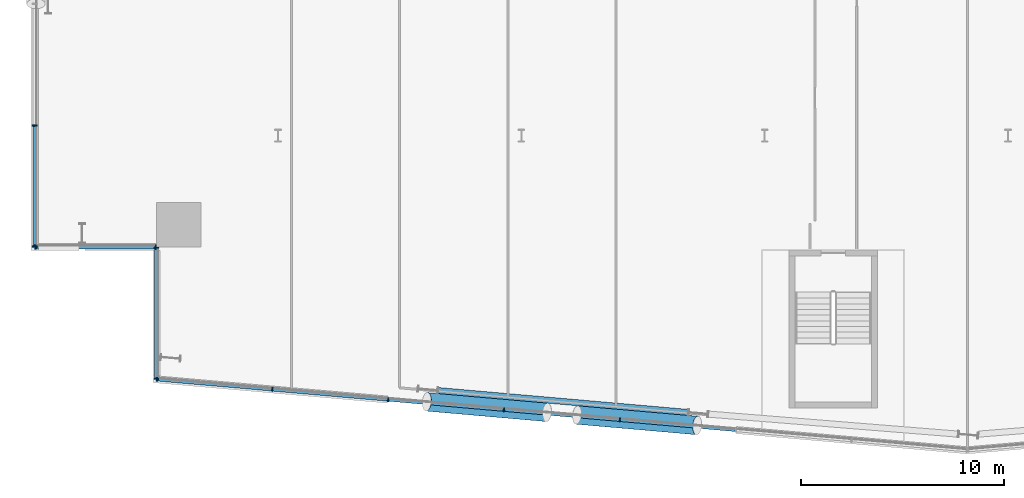
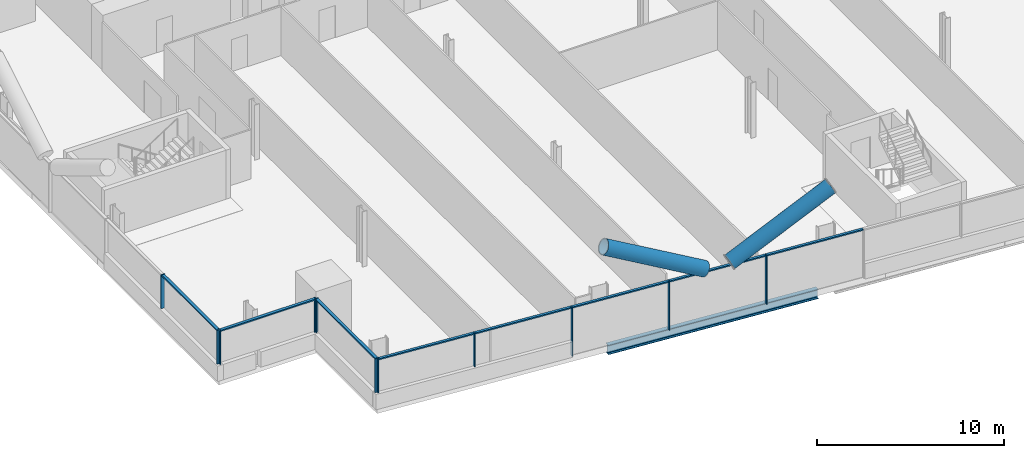
# One storey, part 4 of 25: 21 members, 1 beam, 4 elements without a shape of their own.
"""IFC4 building model written with IfcOpenShell, lengths in metres."""

from ifc_helpers import new_model, si_unit, direction, frame, origin, origin_2d, place, context, subcontext, project, spatial, rectangle, hollow_circle, i_section, extrude, material, material_profile, profile_set, type_object, element, aggregate, save


model = new_model("IFC4")

# Units and contexts
model_context = context("Model", 3, precision=1e-05, world=origin(), true_north=direction((0.0, 1.0)))
body_context = subcontext(model_context, "Body", "Model", "MODEL_VIEW")
ifc_project = project(units=[si_unit("LENGTHUNIT", "METRE"), si_unit("AREAUNIT", "SQUARE_METRE"), si_unit("VOLUMEUNIT", "CUBIC_METRE"), si_unit("PLANEANGLEUNIT", "RADIAN"), si_unit("MASSUNIT", "GRAM", prefix="KILO")], contexts=[model_context])

# Site, building, storey
site_placement = place(None, origin())
site = spatial("IfcSite", under=ifc_project, at=site_placement, CompositionType="ELEMENT")
building_placement = place(site_placement, origin())
building = spatial("IfcBuilding", under=site, at=building_placement, Name="Wharfspan Tower", CompositionType="ELEMENT")
storey_placement = place(building_placement, frame((0.0, 0.0, 70.300049)))
storey = spatial("IfcBuildingStorey", under=building, at=storey_placement, Name="L14", CompositionType="ELEMENT", Elevation=70.300049)

# Beam
ifc_material_1 = material(Name="Steel S355J2", Category="steel")
ifc_material_profile_1 = material_profile(ifc_material_1, i_section(OverallWidth=0.300049, OverallDepth=0.600098, WebThickness=0.015381, FlangeThickness=0.030029, FilletRadius=0.0271, at=origin_2d()))
ifc_profile_set_1 = profile_set([ifc_material_profile_1], Name="Steel S355J2")
beam_type = type_object("IfcBeamType", Name="Edge beam HEB 600", PredefinedType="SPANDREL", material=ifc_profile_set_1)
beam_placement = place(storey_placement, frame((19.888916, -1.077637, -0.699951), z_axis=(0.996195, -0.087154, 0.0), x_axis=(0.087154, 0.996195, 0.0)))
element("IfcBeam", 1, at=beam_placement, inside=storey, type_object=beam_type, Name="Edge beam S1 L14 PS1.2 to PS1.3", PredefinedType="SPANDREL", context=body_context, shape_type="SweptSolid", body=[
    extrude(i_section(OverallWidth=0.300049, OverallDepth=0.600098, WebThickness=0.015381, FlangeThickness=0.030029, FilletRadius=0.0271, at=origin_2d()), origin(), (0.0, 0.0, 1.0), 12.384277),
])

# Curtain wall, members
ifc_material_2 = material(Name="Aluminium 6063-T6", Category="aluminium")
curtain_wall_type_1 = type_object("IfcCurtainWallType", Name="CURTAIN WALL FACETED FRONT", PredefinedType="NOTDEFINED", material=ifc_material_2)
curtain_wall_1_placement = place(storey_placement, origin())
curtain_wall_1 = element("IfcCurtainWall", 2, at=curtain_wall_1_placement, inside=storey, type_object=curtain_wall_type_1, Name="Curtain wall S1", PredefinedType="NOTDEFINED")
ifc_material_profile_2 = material_profile(ifc_material_2, rectangle(XDim=0.199951, YDim=0.060059, at=origin_2d()))
ifc_profile_set_2 = profile_set([ifc_material_profile_2], Name="Aluminium 6063-T6")
member_type_1 = type_object("IfcMemberType", Name="MULLION FACETED FRONT 60x200", PredefinedType="MULLION", material=ifc_profile_set_2)
member_1_placement = place(storey_placement, frame((6.029785, -0.527588, 1.0), z_axis=(0.0, 0.0, 1.0), x_axis=(0.087156, 0.996197, 0.0)))
member_1 = element("IfcMember", 3, at=member_1_placement, type_object=member_type_1, Name="Curtain wall S1 mullion 1", PredefinedType="MULLION", context=body_context, shape_type="SweptSolid", body=[
    extrude(rectangle(XDim=0.199951, YDim=0.060059, at=origin_2d()), origin(), (0.0, 0.0, 1.0), 2.199951),
])
member_2_placement = place(storey_placement, frame((11.714355, -1.024902, 1.0), z_axis=(0.0, 0.0, 1.0), x_axis=(0.087156, 0.996197, 0.0)))
member_2 = element("IfcMember", 4, at=member_2_placement, type_object=member_type_1, Name="Curtain wall S1 mullion 2", PredefinedType="MULLION", context=body_context, shape_type="SweptSolid", body=[
    extrude(rectangle(XDim=0.199951, YDim=0.060059, at=origin_2d()), origin(), (0.0, 0.0, 1.0), 2.199951),
])
member_3_placement = place(storey_placement, frame((17.428467, -1.524902, 0.0), z_axis=(0.0, 0.0, 1.0), x_axis=(0.087156, 0.996197, 0.0)))
member_3 = element("IfcMember", 5, at=member_3_placement, type_object=member_type_1, Name="Curtain wall S1 mullion 3", PredefinedType="MULLION", context=body_context, shape_type="SweptSolid", body=[
    extrude(rectangle(XDim=0.199951, YDim=0.060059, at=origin_2d()), origin(), (0.0, 0.0, 1.0), 3.199951),
])
member_4_placement = place(storey_placement, frame((23.142822, -2.024658, 0.0), z_axis=(0.0, 0.0, 1.0), x_axis=(0.087156, 0.996197, 0.0)))
member_4 = element("IfcMember", 6, at=member_4_placement, type_object=member_type_1, Name="Curtain wall S1 mullion 4", PredefinedType="MULLION", context=body_context, shape_type="SweptSolid", body=[
    extrude(rectangle(XDim=0.199951, YDim=0.060059, at=origin_2d()), origin(), (0.0, 0.0, 1.0), 3.199951),
])
member_5_placement = place(storey_placement, frame((28.857178, -2.524658, 0.0), z_axis=(0.0, 0.0, 1.0), x_axis=(0.087156, 0.996197, 0.0)))
member_5 = element("IfcMember", 7, at=member_5_placement, type_object=member_type_1, Name="Curtain wall S1 mullion 5", PredefinedType="MULLION", context=body_context, shape_type="SweptSolid", body=[
    extrude(rectangle(XDim=0.199951, YDim=0.060059, at=origin_2d()), origin(), (0.0, 0.0, 1.0), 3.199951),
])

curtain_wall_type_2 = type_object("IfcCurtainWallType", Name="CURTAIN WALL PROW AND END", PredefinedType="NOTDEFINED", material=ifc_material_2)
curtain_wall_2_placement = place(storey_placement, origin())
curtain_wall_2 = element("IfcCurtainWall", 8, at=curtain_wall_2_placement, inside=storey, type_object=curtain_wall_type_2, Name="Curtain wall W", PredefinedType="NOTDEFINED")
ifc_material_profile_3 = material_profile(ifc_material_2, rectangle(XDim=0.23999, YDim=0.060059, at=origin_2d()))
ifc_profile_set_3 = profile_set([ifc_material_profile_3], Name="Aluminium 6063-T6")
member_type_2 = type_object("IfcMemberType", Name="MULLION PROW AND END 60x240", PredefinedType="MULLION", material=ifc_profile_set_3)
member_6_placement = place(storey_placement, frame((0.0, 12.0, 1.0), z_axis=(0.0, 0.0, 1.0), x_axis=(1.0, 0.0, 0.0)))
member_6 = element("IfcMember", 9, at=member_6_placement, type_object=member_type_2, Name="Curtain wall W mullion 6", PredefinedType="MULLION", context=body_context, shape_type="SweptSolid", body=[
    extrude(rectangle(XDim=0.23999, YDim=0.060059, at=origin_2d()), origin(), (0.0, 0.0, 1.0), 2.199951),
])
member_7_placement = place(storey_placement, frame((0.0, 6.030029, 1.0), z_axis=(0.0, 0.0, 1.0), x_axis=(1.0, 0.0, 0.0)))
member_7 = element("IfcMember", 10, at=member_7_placement, type_object=member_type_2, Name="Curtain wall W mullion 7", PredefinedType="MULLION", context=body_context, shape_type="SweptSolid", body=[
    extrude(rectangle(XDim=0.23999, YDim=0.060059, at=origin_2d()), origin(), (0.0, 0.0, 1.0), 2.199951),
])

curtain_wall_3_placement = place(storey_placement, origin())
curtain_wall_3 = element("IfcCurtainWall", 11, at=curtain_wall_3_placement, inside=storey, type_object=curtain_wall_type_2, Name="Curtain wall NFW-H", PredefinedType="NOTDEFINED")
member_8_placement = place(storey_placement, frame((0.030029, 6.0, 1.0), z_axis=(0.0, 0.0, 1.0), x_axis=(0.0, 1.0, 0.0)))
member_8 = element("IfcMember", 12, at=member_8_placement, type_object=member_type_2, Name="Curtain wall NFW-H mullion 1", PredefinedType="MULLION", context=body_context, shape_type="SweptSolid", body=[
    extrude(rectangle(XDim=0.23999, YDim=0.060059, at=origin_2d()), origin(), (0.0, 0.0, 1.0), 2.199951),
])
member_9_placement = place(storey_placement, frame((5.969971, 6.0, 1.0), z_axis=(0.0, 0.0, 1.0), x_axis=(0.0, 1.0, 0.0)))
member_9 = element("IfcMember", 13, at=member_9_placement, type_object=member_type_2, Name="Curtain wall NFW-H mullion 2", PredefinedType="MULLION", context=body_context, shape_type="SweptSolid", body=[
    extrude(rectangle(XDim=0.23999, YDim=0.060059, at=origin_2d()), origin(), (0.0, 0.0, 1.0), 2.199951),
])

curtain_wall_4_placement = place(storey_placement, origin())
curtain_wall_4 = element("IfcCurtainWall", 14, at=curtain_wall_4_placement, inside=storey, type_object=curtain_wall_type_2, Name="Curtain wall NFW-V", PredefinedType="NOTDEFINED")
member_10_placement = place(storey_placement, frame((6.0, 5.969971, 1.0), z_axis=(0.0, 0.0, 1.0), x_axis=(1.0, 0.0, 0.0)))
member_10 = element("IfcMember", 15, at=member_10_placement, type_object=member_type_2, Name="Curtain wall NFW-V mullion 1", PredefinedType="MULLION", context=body_context, shape_type="SweptSolid", body=[
    extrude(rectangle(XDim=0.23999, YDim=0.060059, at=origin_2d()), origin(), (0.0, 0.0, 1.0), 2.199951),
])
member_11_placement = place(storey_placement, frame((6.0, -0.494873, 1.0), z_axis=(0.0, 0.0, 1.0), x_axis=(1.0, 0.0, 0.0)))
member_11 = element("IfcMember", 16, at=member_11_placement, type_object=member_type_2, Name="Curtain wall NFW-V mullion 2", PredefinedType="MULLION", context=body_context, shape_type="SweptSolid", body=[
    extrude(rectangle(XDim=0.23999, YDim=0.060059, at=origin_2d()), origin(), (0.0, 0.0, 1.0), 2.199951),
])

# Members
ifc_material_3 = material(Name="Steel S460NH", Category="steel")
ifc_material_profile_4 = material_profile(ifc_material_3, hollow_circle(Radius=0.457031, WallThickness=0.040039, at=origin_2d()))
ifc_profile_set_4 = profile_set([ifc_material_profile_4], Name="Steel S460NH")
member_type_3 = type_object("IfcMemberType", Name="Mega brace CHS 914x40", PredefinedType="BRACE", material=ifc_profile_set_4)
for number, where, z_axis, x_axis, name in (
    (17, (26.746338, -2.284912, 3.300293), (0.877299, -0.076744, 0.473768), (0.087145, 0.996198, 0.0), "Mega brace S1 L14 part 2"),
    (18, (25.263184, -2.155029, 3.300293), (-0.877299, 0.076744, 0.473768), (-0.087145, -0.996198, 0.0), "Mega brace S1 L14 part 4"),
):
    element("IfcMember", number, at=place(storey_placement, frame(where, z_axis=z_axis, x_axis=x_axis)), inside=storey, type_object=member_type_3, Name=name, PredefinedType="BRACE", context=body_context, shape_type="SweptSolid", body=[
        extrude(hollow_circle(Radius=0.457031, WallThickness=0.040039, at=origin_2d()), origin(), (0.0, 0.0, 1.0), 6.753662),
    ])

# Member
ifc_material_profile_5 = material_profile(ifc_material_2, rectangle(XDim=0.159912, YDim=0.080078, at=origin_2d()))
ifc_profile_set_5 = profile_set([ifc_material_profile_5], Name="Aluminium 6063-T6")
member_type_4 = type_object("IfcMemberType", Name="TRANSOM FACETED FRONT 80x160", PredefinedType="USERDEFINED", material=ifc_profile_set_5)
member_12_placement = place(storey_placement, frame((6.059814, -0.530273, 3.159912), z_axis=(0.996197, -0.087132, 0.0), x_axis=(0.087132, 0.996197, 0.0)))
member_12 = element("IfcMember", 19, at=member_12_placement, type_object=member_type_4, Name="Curtain wall S1 transom 1", ObjectType="TRANSOM", PredefinedType="USERDEFINED", context=body_context, shape_type="SweptSolid", body=[
    extrude(rectangle(XDim=0.159912, YDim=0.080078, at=origin_2d()), origin(), (0.0, 0.0, 1.0), 5.645996),
])

member_13_placement = place(storey_placement, frame((11.744141, -1.027588, 3.159912), z_axis=(0.996196, -0.087142, 0.0), x_axis=(0.087142, 0.996196, 0.0)))
member_13 = element("IfcMember", 20, at=member_13_placement, type_object=member_type_4, Name="Curtain wall S1 transom 2", ObjectType="TRANSOM", PredefinedType="USERDEFINED", context=body_context, shape_type="SweptSolid", body=[
    extrude(rectangle(XDim=0.159912, YDim=0.080078, at=origin_2d()), origin(), (0.0, 0.0, 1.0), 5.676025),
])

member_14_placement = place(storey_placement, frame((17.458496, -1.527344, 3.159912), z_axis=(0.996192, -0.087185, 0.0), x_axis=(0.087185, 0.996192, 0.0)))
member_14 = element("IfcMember", 21, at=member_14_placement, type_object=member_type_4, Name="Curtain wall S1 transom 3", ObjectType="TRANSOM", PredefinedType="USERDEFINED", context=body_context, shape_type="SweptSolid", body=[
    extrude(rectangle(XDim=0.159912, YDim=0.080078, at=origin_2d()), origin(), (0.0, 0.0, 1.0), 5.67627),
])

member_15_placement = place(storey_placement, frame((23.172852, -2.027344, 3.159912), z_axis=(0.996196, -0.087146, 0.0), x_axis=(0.087146, 0.996196, 0.0)))
member_15 = element("IfcMember", 22, at=member_15_placement, type_object=member_type_4, Name="Curtain wall S1 transom 4", ObjectType="TRANSOM", PredefinedType="USERDEFINED", context=body_context, shape_type="SweptSolid", body=[
    extrude(rectangle(XDim=0.159912, YDim=0.080078, at=origin_2d()), origin(), (0.0, 0.0, 1.0), 5.675781),
])

member_16_placement = place(storey_placement, frame((28.886963, -2.527344, 3.159912), z_axis=(0.996196, -0.087142, 0.0), x_axis=(0.087142, 0.996196, 0.0)))
member_16 = element("IfcMember", 23, at=member_16_placement, type_object=member_type_4, Name="Curtain wall S1 transom 5", ObjectType="TRANSOM", PredefinedType="USERDEFINED", context=body_context, shape_type="SweptSolid", body=[
    extrude(rectangle(XDim=0.159912, YDim=0.080078, at=origin_2d()), origin(), (0.0, 0.0, 1.0), 5.676025),
])

aggregate(curtain_wall_1, [member_1, member_2, member_3, member_4, member_5, member_12, member_13, member_14, member_15, member_16])

ifc_material_profile_6 = material_profile(ifc_material_2, rectangle(XDim=0.179932, YDim=0.080078, at=origin_2d()))
ifc_profile_set_6 = profile_set([ifc_material_profile_6], Name="Aluminium 6063-T6")
member_type_5 = type_object("IfcMemberType", Name="TRANSOM PROW AND END 80x180", PredefinedType="USERDEFINED", material=ifc_profile_set_6)
member_17_placement = place(storey_placement, frame((0.0, 11.969971, 3.159912), z_axis=(0.0, -1.0, 0.0), x_axis=(1.0, 0.0, 0.0)))
member_17 = element("IfcMember", 24, at=member_17_placement, type_object=member_type_5, Name="Curtain wall W transom 6", ObjectType="TRANSOM", PredefinedType="USERDEFINED", context=body_context, shape_type="SweptSolid", body=[
    extrude(rectangle(XDim=0.179932, YDim=0.080078, at=origin_2d()), origin(), (0.0, 0.0, 1.0), 5.909912),
])

aggregate(curtain_wall_2, [member_6, member_7, member_17])

member_18_placement = place(storey_placement, frame((0.060059, 6.0, 3.159912), z_axis=(1.0, 0.0, 0.0), x_axis=(0.0, 1.0, 0.0)))
member_18 = element("IfcMember", 25, at=member_18_placement, type_object=member_type_5, Name="Curtain wall NFW-H transom 1", ObjectType="TRANSOM", PredefinedType="USERDEFINED", context=body_context, shape_type="SweptSolid", body=[
    extrude(rectangle(XDim=0.179932, YDim=0.080078, at=origin_2d()), origin(), (0.0, 0.0, 1.0), 5.879883),
])

aggregate(curtain_wall_3, [member_8, member_9, member_18])

member_19_placement = place(storey_placement, frame((6.0, 5.939941, 3.159912), z_axis=(0.0, -1.0, 0.0), x_axis=(1.0, 0.0, 0.0)))
member_19 = element("IfcMember", 26, at=member_19_placement, type_object=member_type_5, Name="Curtain wall NFW-V transom 1", ObjectType="TRANSOM", PredefinedType="USERDEFINED", context=body_context, shape_type="SweptSolid", body=[
    extrude(rectangle(XDim=0.179932, YDim=0.080078, at=origin_2d()), origin(), (0.0, 0.0, 1.0), 6.404785),
])

aggregate(curtain_wall_4, [member_10, member_11, member_19])

save(model, "model.ifc")
